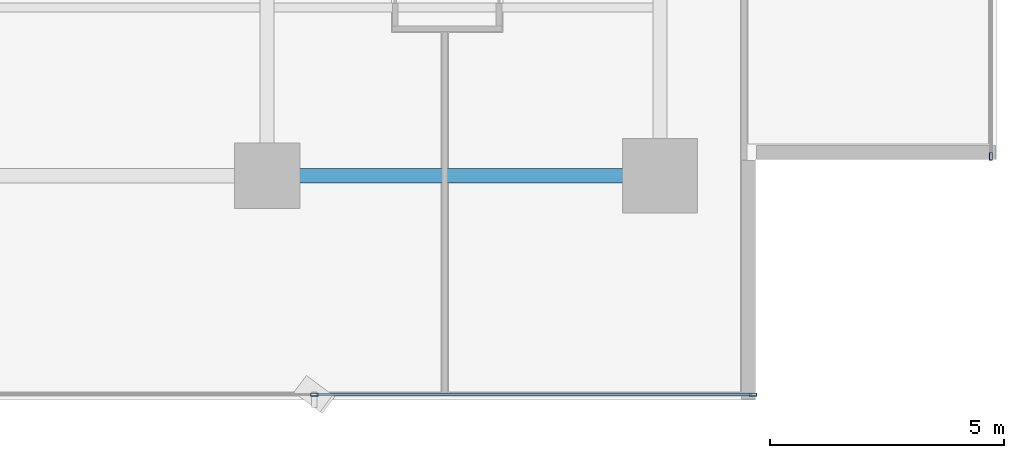
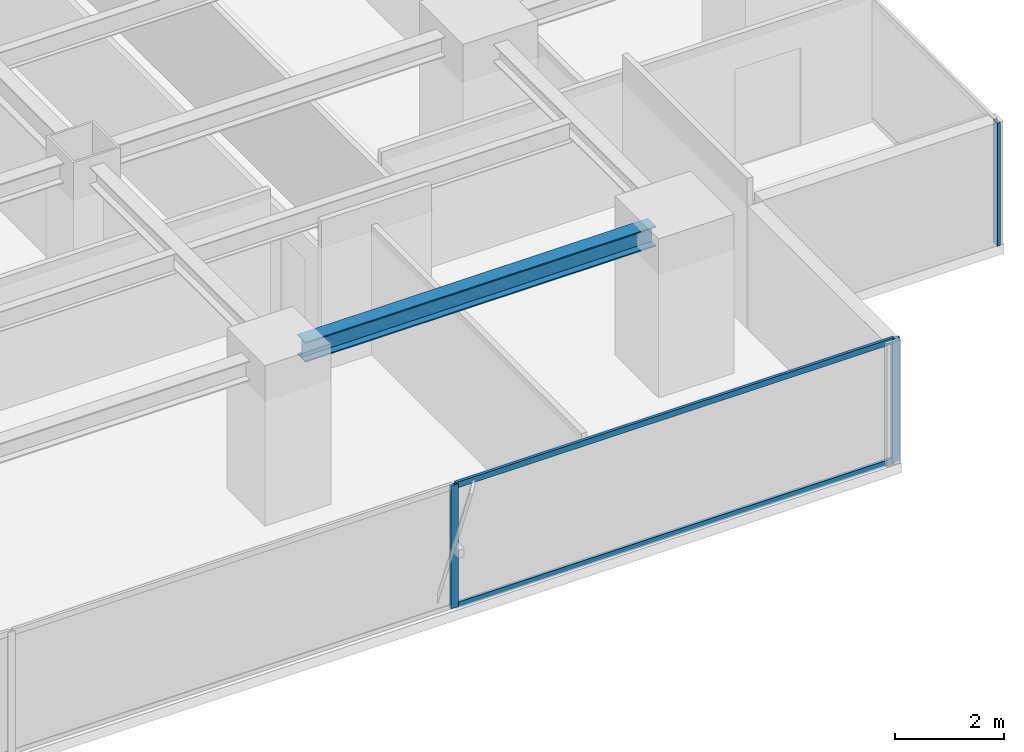
# One storey, part 9 of 28: 5 members, 1 beam, 2 elements without a shape of their own.
"""IFC4 building model written with IfcOpenShell, lengths in metres."""

from ifc_helpers import new_model, si_unit, direction, frame, origin, origin_2d, place, context, subcontext, project, spatial, hollow_rectangle, i_section, extrude, source, transform, mapped, material, layer, layer_set, material_profile, profile_set, type_object, element, aggregate, save


model = new_model("IFC4")

# Units and contexts
model_context = context("Model", 3, precision=1e-05, world=origin(), true_north=direction((0.0, 1.0)))
body_context = subcontext(model_context, "Body", "Model", "MODEL_VIEW")
ifc_project = project(units=[si_unit("LENGTHUNIT", "METRE"), si_unit("AREAUNIT", "SQUARE_METRE"), si_unit("VOLUMEUNIT", "CUBIC_METRE"), si_unit("PLANEANGLEUNIT", "RADIAN"), si_unit("MASSUNIT", "GRAM", prefix="KILO")], contexts=[model_context])

# Site, building, storey
site_placement = place(None, origin())
site = spatial("IfcSite", under=ifc_project, at=site_placement, CompositionType="ELEMENT")
building_placement = place(site_placement, origin())
building = spatial("IfcBuilding", under=site, at=building_placement, Name="Sumidabori Civic Tower", CompositionType="ELEMENT")
storey_placement = place(building_placement, frame((0.0, 0.0, 182.0)))
storey = spatial("IfcBuildingStorey", under=building, at=storey_placement, Name="L47", CompositionType="ELEMENT", Elevation=182.0)

# Beam
ifc_material_1 = material(Name="Steel SN490", Category="steel")
ifc_material_profile_1 = material_profile(ifc_material_1, i_section(OverallWidth=0.300048828125, OverallDepth=0.449951171875, WebThickness=0.013916015625, FlangeThickness=0.02587890625, at=origin_2d()), Name="HE 450 B")
ifc_profile_set_1 = profile_set([ifc_material_profile_1], Name="Steel SN490")
beam_type = type_object("IfcBeamType", Name="BM-GIRD-450", PredefinedType="BEAM", material=ifc_profile_set_1)
shared_shape_1 = source(origin(), body_context, "Body", "SweptSolid", [
    extrude(i_section(OverallWidth=0.300048828125, OverallDepth=0.449951171875, WebThickness=0.013916015625, FlangeThickness=0.02587890625, at=origin_2d()), origin(), (0.0, 0.0, 1.0), 7.440185546875),
])
beam_placement = place(storey_placement, frame((8.8798828125, -18.0, 3.155029296875), z_axis=(1.0, 0.0, 0.0), x_axis=(0.0, 1.0, 0.0)))
element("IfcBeam", 1, at=beam_placement, inside=storey, type_object=beam_type, Name="Primary Girder L47 GX-04", PredefinedType="BEAM", context=body_context, shape_type="MappedRepresentation", body=[
    mapped(shared_shape_1, transform((0.0, 0.0, 0.0), x_axis=(1.0, 0.0, 0.0), y_axis=(0.0, 1.0, 0.0), z_axis=(0.0, 0.0, 1.0), scale=1.0)),
])

# Curtain wall, members
ifc_material_2 = material(Name="Anodised Bronze Aluminium AW-6063-T6", Category="aluminium")
ifc_layer = layer(ifc_material_2, 0.179931640625, Name="Anodised Bronze Aluminium AW-6063-T6")
ifc_layer_set = layer_set([ifc_layer], Name="Anodised Bronze Aluminium AW-6063-T6")
curtain_wall_type = type_object("IfcCurtainWallType", Name="CW-SYS-3", PredefinedType="NOTDEFINED", material=ifc_layer_set)
curtain_wall_1_placement = place(storey_placement, origin())
curtain_wall_1 = element("IfcCurtainWall", 2, at=curtain_wall_1_placement, inside=storey, type_object=curtain_wall_type, Name="Curtain Wall CW:L47:R01", PredefinedType="NOTDEFINED")
ifc_material_profile_2 = material_profile(ifc_material_2, hollow_rectangle(XDim=0.06494140625, YDim=0.159912109375, WallThickness=0.0048828125, at=origin_2d()), Name="ALU MULLION 160x65")
ifc_profile_set_2 = profile_set([ifc_material_profile_2], Name="Anodised Bronze Aluminium AW-6063-T6")
member_type_1 = type_object("IfcMemberType", Name="CW-MUL-160", PredefinedType="MULLION", material=ifc_profile_set_2)
shared_shape_2 = source(origin(), body_context, "Body", "SweptSolid", [
    extrude(hollow_rectangle(XDim=0.06494140625, YDim=0.159912109375, WallThickness=0.0048828125, at=origin_2d()), origin(), (0.0, 0.0, 1.0), 2.760009765625),
])
member_1_placement = place(storey_placement, frame((9.409912109375, -22.679931640625, 0.0), z_axis=(0.0, 0.0, 1.0), x_axis=(0.0, 1.0, 0.0)))
member_1 = element("IfcMember", 3, at=member_1_placement, type_object=member_type_1, Name="CW-3 mullion 4", PredefinedType="MULLION", context=body_context, shape_type="MappedRepresentation", body=[
    mapped(shared_shape_2, transform((0.0, 0.0, 0.0), x_axis=(1.0, 0.0, 0.0), y_axis=(0.0, 1.0, 0.0), z_axis=(0.0, 0.0, 1.0), scale=1.0)),
])
member_2_placement = place(storey_placement, frame((18.78759765625, -22.679931640625, 0.0), z_axis=(0.0, 0.0, 1.0), x_axis=(0.0, 1.0, 0.0)))
member_2 = element("IfcMember", 4, at=member_2_placement, type_object=member_type_1, Name="CW-3 mullion 5", PredefinedType="MULLION", context=body_context, shape_type="MappedRepresentation", body=[
    mapped(shared_shape_2, transform((0.0, 0.0, 0.0), x_axis=(1.0, 0.0, 0.0), y_axis=(0.0, 1.0, 0.0), z_axis=(0.0, 0.0, 1.0), scale=1.0)),
])

# Curtain wall, member
curtain_wall_2_placement = place(storey_placement, origin())
curtain_wall_2 = element("IfcCurtainWall", 5, at=curtain_wall_2_placement, inside=storey, type_object=curtain_wall_type, Name="Curtain Wall CW:L47:R04", PredefinedType="NOTDEFINED")
member_3_placement = place(storey_placement, frame((23.8798828125, -17.58740234375, 0.0), z_axis=(0.0, 0.0, 1.0), x_axis=(-1.0, 0.0, 0.0)))
member_3 = element("IfcMember", 6, at=member_3_placement, type_object=member_type_1, Name="CW-3 mullion 1", PredefinedType="MULLION", context=body_context, shape_type="MappedRepresentation", body=[
    mapped(shared_shape_2, transform((0.0, 0.0, 0.0), x_axis=(1.0, 0.0, 0.0), y_axis=(0.0, 1.0, 0.0), z_axis=(0.0, 0.0, 1.0), scale=1.0)),
])
aggregate(curtain_wall_2, [member_3])

# Member
ifc_material_profile_3 = material_profile(ifc_material_2, hollow_rectangle(XDim=0.06005859375, YDim=0.1298828125, WallThickness=0.0048828125, at=origin_2d()), Name="ALU TRANSOM 130x60")
ifc_profile_set_3 = profile_set([ifc_material_profile_3], Name="Anodised Bronze Aluminium AW-6063-T6")
member_type_2 = type_object("IfcMemberType", Name="CW-TRN-130", PredefinedType="USERDEFINED", material=ifc_profile_set_3)
shared_shape_3 = source(origin(), body_context, "Body", "SweptSolid", [
    extrude(hollow_rectangle(XDim=0.06005859375, YDim=0.1298828125, WallThickness=0.0048828125, at=origin_2d()), origin(), (0.0, 0.0, 1.0), 9.3125),
])
member_4_placement = place(storey_placement, frame((9.4423828125, -22.679931640625, 0.030029296875), z_axis=(1.0, 0.0, 0.0), x_axis=(0.0, 1.0, 0.0)))
member_4 = element("IfcMember", 7, at=member_4_placement, type_object=member_type_2, Name="CW-3 transom 4.1", ObjectType="TRANSOM", PredefinedType="USERDEFINED", context=body_context, shape_type="MappedRepresentation", body=[
    mapped(shared_shape_3, transform((0.0, 0.0, 0.0), x_axis=(1.0, 0.0, 0.0), y_axis=(0.0, 1.0, 0.0), z_axis=(0.0, 0.0, 1.0), scale=1.0)),
])

member_5_placement = place(storey_placement, frame((9.4423828125, -22.679931640625, 2.72998046875), z_axis=(1.0, 0.0, 0.0), x_axis=(0.0, 1.0, 0.0)))
member_5 = element("IfcMember", 8, at=member_5_placement, type_object=member_type_2, Name="CW-3 transom 4.2", ObjectType="TRANSOM", PredefinedType="USERDEFINED", context=body_context, shape_type="MappedRepresentation", body=[
    mapped(shared_shape_3, transform((0.0, 0.0, 0.0), x_axis=(1.0, 0.0, 0.0), y_axis=(0.0, 1.0, 0.0), z_axis=(0.0, 0.0, 1.0), scale=1.0)),
])

aggregate(curtain_wall_1, [member_1, member_2, member_4, member_5])

save(model, "model.ifc")
